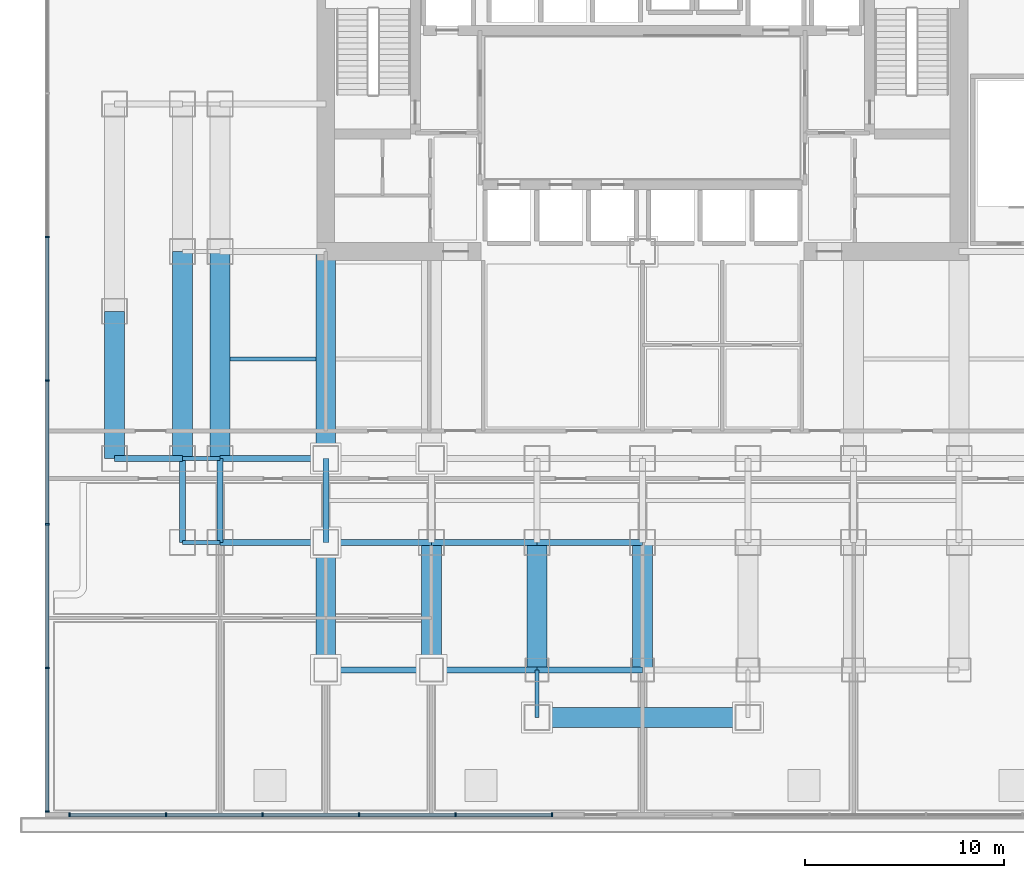
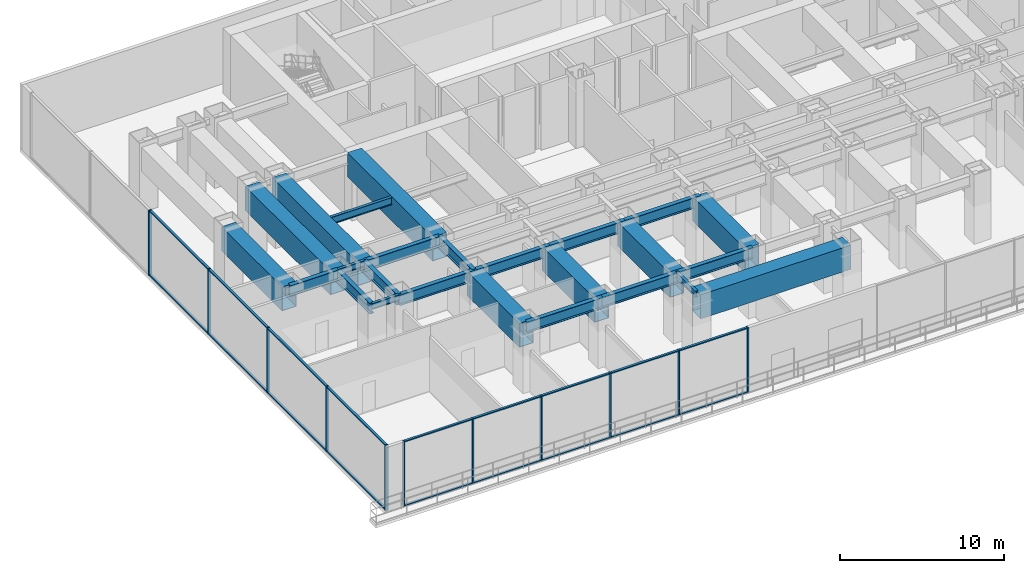
# One storey, part 2 of 12: 29 members, 25 beams, 2 elements without a shape of their own.
"""IFC4 building model written with IfcOpenShell, lengths in metres."""

from ifc_helpers import new_model, si_unit, direction, frame, origin, origin_2d, place, context, subcontext, project, spatial, rectangle, hollow_rectangle, i_section, extrude, source, transform, mapped, material, layer, layer_set, material_profile, profile_set, type_object, element, aggregate, save


model = new_model("IFC4")

# Units and contexts
model_context = context("Model", 3, precision=1e-05, world=origin(), true_north=direction((0.0, 1.0)))
body_context = subcontext(model_context, "Body", "Model", "MODEL_VIEW")
ifc_project = project(units=[si_unit("LENGTHUNIT", "METRE"), si_unit("AREAUNIT", "SQUARE_METRE"), si_unit("VOLUMEUNIT", "CUBIC_METRE"), si_unit("PLANEANGLEUNIT", "RADIAN"), si_unit("MASSUNIT", "GRAM", prefix="KILO")], contexts=[model_context])

# Site, building, storey
site_placement = place(None, origin())
site = spatial("IfcSite", under=ifc_project, at=site_placement, CompositionType="ELEMENT")
building_placement = place(site_placement, origin())
building = spatial("IfcBuilding", under=site, at=building_placement, Name="Qianlan Lanfeng Residences", CompositionType="ELEMENT")
storey_placement = place(building_placement, frame((0.0, 0.0, 19.0)))
storey = spatial("IfcBuildingStorey", under=building, at=storey_placement, Name="L04", CompositionType="ELEMENT", Elevation=19.0)

# Beams
ifc_material_1 = material(Name="Steel SN490B", Category="steel")
ifc_material_profile_1 = material_profile(ifc_material_1, i_section(OverallWidth=0.300048828125, OverallDepth=0.800048828125, WebThickness=0.01611328125, FlangeThickness=0.028076171875, at=origin_2d()), Name="H 800x300x16x28")
ifc_profile_set_1 = profile_set([ifc_material_profile_1], Name="Steel SN490B")
beam_type_1 = type_object("IfcBeamType", Name="G-950", PredefinedType="BEAM", material=ifc_profile_set_1)
beam_1_placement = place(storey_placement, frame((5.300048828125, 10.60009765625, 4.4599609375), z_axis=(1.0, 0.0, 0.0), x_axis=(0.0, 1.0, 0.0)))
element("IfcBeam", 1, at=beam_1_placement, inside=storey, type_object=beam_type_1, Name="Structural beam G-950", PredefinedType="BEAM", context=body_context, shape_type="SweptSolid", body=[
    extrude(i_section(OverallWidth=0.300048828125, OverallDepth=0.800048828125, WebThickness=0.01611328125, FlangeThickness=0.028076171875, at=origin_2d()), origin(), (0.0, 0.0, 1.0), 5.300048828125),
])
beam_2_placement = place(storey_placement, frame((10.60009765625, 10.60009765625, 4.4599609375), z_axis=(1.0, 0.0, 0.0), x_axis=(0.0, 1.0, 0.0)))
element("IfcBeam", 2, at=beam_2_placement, inside=storey, type_object=beam_type_1, Name="Structural beam G-950", PredefinedType="BEAM", context=body_context, shape_type="SweptSolid", body=[
    extrude(i_section(OverallWidth=0.300048828125, OverallDepth=0.800048828125, WebThickness=0.01611328125, FlangeThickness=0.028076171875, at=origin_2d()), origin(), (0.0, 0.0, 1.0), 5.2998046875),
])
for number, where, z_axis, x_axis, name in (
    (3, (15.89990234375, 10.60009765625, 4.4599609375), (1.0, 0.0, 0.0), (0.0, 1.0, 0.0), "Structural beam G-950"),
    (4, (21.199951171875, 10.60009765625, 4.4599609375), (1.0, 0.0, 0.0), (0.0, 1.0, 0.0), "Structural beam G-950"),
):
    element("IfcBeam", number, at=place(storey_placement, frame(where, z_axis=z_axis, x_axis=x_axis)), inside=storey, type_object=beam_type_1, Name=name, PredefinedType="BEAM", context=body_context, shape_type="SweptSolid", body=[
        extrude(i_section(OverallWidth=0.300048828125, OverallDepth=0.800048828125, WebThickness=0.01611328125, FlangeThickness=0.028076171875, at=origin_2d()), origin(), (0.0, 0.0, 1.0), 5.300048828125),
    ])
beam_3_placement = place(storey_placement, frame((0.0, 14.800048828125, 4.4599609375), z_axis=(1.0, 0.0, 0.0), x_axis=(0.0, 1.0, 0.0)))
element("IfcBeam", 5, at=beam_3_placement, inside=storey, type_object=beam_type_1, Name="Structural beam G-950", PredefinedType="BEAM", context=body_context, shape_type="SweptSolid", body=[
    extrude(i_section(OverallWidth=0.300048828125, OverallDepth=0.800048828125, WebThickness=0.01611328125, FlangeThickness=0.028076171875, at=origin_2d()), origin(), (0.0, 0.0, 1.0), 3.39990234375),
])
beam_4_placement = place(storey_placement, frame((5.300048828125, 14.800048828125, 4.4599609375), z_axis=(1.0, 0.0, 0.0), x_axis=(0.0, 1.0, 0.0)))
element("IfcBeam", 6, at=beam_4_placement, inside=storey, type_object=beam_type_1, Name="Structural beam G-950", PredefinedType="BEAM", context=body_context, shape_type="SweptSolid", body=[
    extrude(i_section(OverallWidth=0.300048828125, OverallDepth=0.800048828125, WebThickness=0.01611328125, FlangeThickness=0.028076171875, at=origin_2d()), origin(), (0.0, 0.0, 1.0), 5.300048828125),
])
for number, where, z_axis, x_axis, name in (
    (7, (3.39990234375, 10.60009765625, 4.4599609375), (0.0, 1.0, 0.0), (-1.0, 0.0, 0.0), "Structural beam G-950"),
    (8, (5.300048828125, 10.60009765625, 4.4599609375), (0.0, 1.0, 0.0), (-1.0, 0.0, 0.0), "Structural beam G-950"),
    (9, (10.60009765625, 10.60009765625, 4.4599609375), (0.0, 1.0, 0.0), (-1.0, 0.0, 0.0), "Structural beam G-950"),
):
    element("IfcBeam", number, at=place(storey_placement, frame(where, z_axis=z_axis, x_axis=x_axis)), inside=storey, type_object=beam_type_1, Name=name, PredefinedType="BEAM", context=body_context, shape_type="SweptSolid", body=[
        extrude(i_section(OverallWidth=0.300048828125, OverallDepth=0.800048828125, WebThickness=0.01611328125, FlangeThickness=0.028076171875, at=origin_2d()), origin(), (0.0, 0.0, 1.0), 4.199951171875),
    ])
ifc_material_profile_2 = material_profile(ifc_material_1, i_section(OverallWidth=0.199951171875, OverallDepth=0.449951171875, WebThickness=0.009033203125, FlangeThickness=0.013916015625, at=origin_2d()), Name="H 450x200x9x14")
ifc_profile_set_2 = profile_set([ifc_material_profile_2], Name="Steel SN490B")
beam_type_2 = type_object("IfcBeamType", Name="J-450", PredefinedType="JOIST", material=ifc_profile_set_2)
for number, where, z_axis, x_axis, name in (
    (10, (3.39990234375, 10.60009765625, 4.635009765625), (1.0, 0.0, 0.0), (0.0, 1.0, 0.0), "Structural beam J-450"),
    (11, (3.39990234375, 14.800048828125, 4.635009765625), (1.0, 0.0, 0.0), (0.0, 1.0, 0.0), "Structural beam J-450"),
):
    element("IfcBeam", number, at=place(storey_placement, frame(where, z_axis=z_axis, x_axis=x_axis)), inside=storey, type_object=beam_type_2, Name=name, PredefinedType="JOIST", context=body_context, shape_type="SweptSolid", body=[
        extrude(i_section(OverallWidth=0.199951171875, OverallDepth=0.449951171875, WebThickness=0.009033203125, FlangeThickness=0.013916015625, at=origin_2d()), origin(), (0.0, 0.0, 1.0), 1.900146484375),
    ])
beam_5_placement = place(storey_placement, frame((21.199951171875, 1.800048828125, 4.635009765625), z_axis=(0.0, 1.0, 0.0), x_axis=(-1.0, 0.0, 0.0)))
element("IfcBeam", 12, at=beam_5_placement, inside=storey, type_object=beam_type_2, Name="Structural beam J-450", PredefinedType="JOIST", context=body_context, shape_type="SweptSolid", body=[
    extrude(i_section(OverallWidth=0.199951171875, OverallDepth=0.449951171875, WebThickness=0.009033203125, FlangeThickness=0.013916015625, at=origin_2d()), origin(), (0.0, 0.0, 1.0), 2.39990234375),
])
ifc_material_profile_3 = material_profile(ifc_material_1, i_section(OverallWidth=0.199951171875, OverallDepth=0.550048828125, WebThickness=0.010986328125, FlangeThickness=0.01806640625, at=origin_2d()), Name="H 550x200x11x18")
ifc_profile_set_3 = profile_set([ifc_material_profile_3], Name="Steel SN490B")
beam_type_3 = type_object("IfcBeamType", Name="J-550", PredefinedType="JOIST", material=ifc_profile_set_3)
beam_6_placement = place(storey_placement, frame((5.800048828125, 19.800048828125, 4.5849609375), z_axis=(1.0, 0.0, 0.0), x_axis=(0.0, 1.0, 0.0)))
element("IfcBeam", 13, at=beam_6_placement, inside=storey, type_object=beam_type_3, Name="Structural beam J-550", PredefinedType="JOIST", context=body_context, shape_type="SweptSolid", body=[
    extrude(i_section(OverallWidth=0.199951171875, OverallDepth=0.550048828125, WebThickness=0.010986328125, FlangeThickness=0.01806640625, at=origin_2d()), origin(), (0.0, 0.0, 1.0), 4.300048828125),
])
ifc_material_profile_4 = material_profile(ifc_material_1, i_section(OverallWidth=0.300048828125, OverallDepth=0.800048828125, WebThickness=0.01611328125, FlangeThickness=0.028076171875, at=origin_2d()), Name="H 800x300x16x28")
ifc_profile_set_4 = profile_set([ifc_material_profile_4], Name="Steel SN490B")
beam_type_4 = type_object("IfcBeamType", Name="SG-950", PredefinedType="SPANDREL", material=ifc_profile_set_4)
beam_7_placement = place(storey_placement, frame((10.60009765625, 4.199951171875, 4.4599609375), z_axis=(1.0, 0.0, 0.0), x_axis=(0.0, 1.0, 0.0)))
element("IfcBeam", 14, at=beam_7_placement, inside=storey, type_object=beam_type_4, Name="Structural beam SG-950", PredefinedType="SPANDREL", context=body_context, shape_type="SweptSolid", body=[
    extrude(i_section(OverallWidth=0.300048828125, OverallDepth=0.800048828125, WebThickness=0.01611328125, FlangeThickness=0.028076171875, at=origin_2d()), origin(), (0.0, 0.0, 1.0), 5.2998046875),
])
for number, where, z_axis, x_axis, name in (
    (15, (15.89990234375, 4.199951171875, 4.4599609375), (1.0, 0.0, 0.0), (0.0, 1.0, 0.0), "Structural beam SG-950"),
    (16, (21.199951171875, 4.199951171875, 4.4599609375), (1.0, 0.0, 0.0), (0.0, 1.0, 0.0), "Structural beam SG-950"),
):
    element("IfcBeam", number, at=place(storey_placement, frame(where, z_axis=z_axis, x_axis=x_axis)), inside=storey, type_object=beam_type_4, Name=name, PredefinedType="SPANDREL", context=body_context, shape_type="SweptSolid", body=[
        extrude(i_section(OverallWidth=0.300048828125, OverallDepth=0.800048828125, WebThickness=0.01611328125, FlangeThickness=0.028076171875, at=origin_2d()), origin(), (0.0, 0.0, 1.0), 5.300048828125),
    ])
ifc_material_2 = material(Name="Steel SM570 (420 MPa)", Category="steel")
ifc_material_profile_5 = material_profile(ifc_material_2, hollow_rectangle(XDim=1.0, YDim=1.800048828125, WallThickness=0.0400390625, at=origin_2d()), Name="BOX 1800x1000x40")
ifc_profile_set_5 = profile_set([ifc_material_profile_5], Name="Steel SM570 (420 MPa)")
beam_type_5 = type_object("IfcBeamType", Name="TG-2000", PredefinedType="BEAM", material=ifc_profile_set_5)
beam_8_placement = place(storey_placement, frame((21.199951171875, 1.800048828125, 3.9599609375), z_axis=(1.0, 0.0, 0.0), x_axis=(0.0, 1.0, 0.0)))
element("IfcBeam", 17, at=beam_8_placement, inside=storey, type_object=beam_type_5, Name="Structural beam TG-2000", PredefinedType="BEAM", context=body_context, shape_type="SweptSolid", body=[
    extrude(hollow_rectangle(XDim=1.0, YDim=1.800048828125, WallThickness=0.0400390625, at=origin_2d()), origin(), (0.0, 0.0, 1.0), 10.60009765625),
])
beam_9_placement = place(storey_placement, frame((0.0, 14.800048828125, 3.9599609375), z_axis=(0.0, 1.0, 0.0), x_axis=(-1.0, 0.0, 0.0)))
element("IfcBeam", 18, at=beam_9_placement, inside=storey, type_object=beam_type_5, Name="Structural beam TG-2000", PredefinedType="BEAM", context=body_context, shape_type="SweptSolid", body=[
    extrude(hollow_rectangle(XDim=1.0, YDim=1.800048828125, WallThickness=0.0400390625, at=origin_2d()), origin(), (0.0, 0.0, 1.0), 7.39990234375),
])
for number, where, z_axis, x_axis, name in (
    (19, (3.39990234375, 14.800048828125, 3.9599609375), (0.0, 1.0, 0.0), (-1.0, 0.0, 0.0), "Structural beam TG-2000"),
    (20, (5.300048828125, 14.800048828125, 3.9599609375), (0.0, 1.0, 0.0), (-1.0, 0.0, 0.0), "Structural beam TG-2000"),
):
    element("IfcBeam", number, at=place(storey_placement, frame(where, z_axis=z_axis, x_axis=x_axis)), inside=storey, type_object=beam_type_5, Name=name, PredefinedType="BEAM", context=body_context, shape_type="SweptSolid", body=[
        extrude(hollow_rectangle(XDim=1.0, YDim=1.800048828125, WallThickness=0.0400390625, at=origin_2d()), origin(), (0.0, 0.0, 1.0), 10.39990234375),
    ])
beam_10_placement = place(storey_placement, frame((10.60009765625, 4.199951171875, 3.9599609375), z_axis=(0.0, 1.0, 0.0), x_axis=(-1.0, 0.0, 0.0)))
element("IfcBeam", 21, at=beam_10_placement, inside=storey, type_object=beam_type_5, Name="Structural beam TG-2000", PredefinedType="BEAM", context=body_context, shape_type="SweptSolid", body=[
    extrude(hollow_rectangle(XDim=1.0, YDim=1.800048828125, WallThickness=0.0400390625, at=origin_2d()), origin(), (0.0, 0.0, 1.0), 6.400146484375),
])
beam_11_placement = place(storey_placement, frame((10.60009765625, 14.800048828125, 3.9599609375), z_axis=(0.0, 1.0, 0.0), x_axis=(-1.0, 0.0, 0.0)))
element("IfcBeam", 22, at=beam_11_placement, inside=storey, type_object=beam_type_5, Name="Structural beam TG-2000", PredefinedType="BEAM", context=body_context, shape_type="SweptSolid", body=[
    extrude(hollow_rectangle(XDim=1.0, YDim=1.800048828125, WallThickness=0.0400390625, at=origin_2d()), origin(), (0.0, 0.0, 1.0), 10.39990234375),
])
for number, where, z_axis, x_axis, name in (
    (23, (15.89990234375, 4.199951171875, 3.9599609375), (0.0, 1.0, 0.0), (-1.0, 0.0, 0.0), "Structural beam TG-2000"),
    (24, (21.199951171875, 4.199951171875, 3.9599609375), (0.0, 1.0, 0.0), (-1.0, 0.0, 0.0), "Structural beam TG-2000"),
    (25, (26.5, 4.199951171875, 3.9599609375), (0.0, 1.0, 0.0), (-1.0, 0.0, 0.0), "Structural beam TG-2000"),
):
    element("IfcBeam", number, at=place(storey_placement, frame(where, z_axis=z_axis, x_axis=x_axis)), inside=storey, type_object=beam_type_5, Name=name, PredefinedType="BEAM", context=body_context, shape_type="SweptSolid", body=[
        extrude(hollow_rectangle(XDim=1.0, YDim=1.800048828125, WallThickness=0.0400390625, at=origin_2d()), origin(), (0.0, 0.0, 1.0), 6.400146484375),
    ])

# Curtain wall, members
ifc_material_3 = material(Name="Anodised Bronze Aluminium 6063-T6", Category="aluminium")
ifc_layer = layer(ifc_material_3, 0.219970703125)
ifc_layer_set = layer_set([ifc_layer], Name="Anodised Bronze Aluminium 6063-T6")
curtain_wall_type = type_object("IfcCurtainWallType", Name="CW-01", PredefinedType="NOTDEFINED", material=ifc_layer_set)
curtain_wall_1_placement = place(storey_placement, origin())
curtain_wall_1 = element("IfcCurtainWall", 26, at=curtain_wall_1_placement, inside=storey, type_object=curtain_wall_type, Name="L04 Unitised Curtain Wall CWR-L04-SW (CW-01)", PredefinedType="NOTDEFINED")
ifc_material_profile_6 = material_profile(ifc_material_3, rectangle(XDim=0.080078125, YDim=0.2099609375, at=origin_2d()), Name="ALU MULLION 80x210")
ifc_profile_set_6 = profile_set([ifc_material_profile_6], Name="Anodised Bronze Aluminium 6063-T6")
member_type_1 = type_object("IfcMemberType", Name="CWM-220", PredefinedType="MULLION", material=ifc_profile_set_6)
shared_shape_1 = source(origin(), body_context, "Body", "SweptSolid", [
    extrude(rectangle(XDim=0.080078125, YDim=0.2099609375, at=origin_2d()), origin(), (0.0, 0.0, 1.0), 4.860107421875),
])
member_1_placement = place(storey_placement, frame((-2.260009765625, -3.080078125, 0.0), z_axis=(0.0, 0.0, 1.0), x_axis=(1.0, 0.0, 0.0)))
member_1 = element("IfcMember", 27, at=member_1_placement, type_object=member_type_1, Name="CWR-L04-SW Mullion 1", PredefinedType="MULLION", context=body_context, shape_type="MappedRepresentation", body=[
    mapped(shared_shape_1, transform((0.0, 0.0, 0.0), scale=1.0)),
])
member_2_placement = place(storey_placement, frame((2.583984375, -3.080078125, 0.0), z_axis=(0.0, 0.0, 1.0), x_axis=(1.0, 0.0, 0.0)))
member_2 = element("IfcMember", 28, at=member_2_placement, type_object=member_type_1, Name="CWR-L04-SW Mullion 2", PredefinedType="MULLION", context=body_context, shape_type="MappedRepresentation", body=[
    mapped(shared_shape_1, transform((0.0, 0.0, 0.0), scale=1.0)),
])
member_3_placement = place(storey_placement, frame((7.427978515625, -3.080078125, 0.0), z_axis=(0.0, 0.0, 1.0), x_axis=(1.0, 0.0, 0.0)))
member_3 = element("IfcMember", 29, at=member_3_placement, type_object=member_type_1, Name="CWR-L04-SW Mullion 3", PredefinedType="MULLION", context=body_context, shape_type="MappedRepresentation", body=[
    mapped(shared_shape_1, transform((0.0, 0.0, 0.0), scale=1.0)),
])
member_4_placement = place(storey_placement, frame((12.27197265625, -3.080078125, 0.0), z_axis=(0.0, 0.0, 1.0), x_axis=(1.0, 0.0, 0.0)))
member_4 = element("IfcMember", 30, at=member_4_placement, type_object=member_type_1, Name="CWR-L04-SW Mullion 4", PredefinedType="MULLION", context=body_context, shape_type="MappedRepresentation", body=[
    mapped(shared_shape_1, transform((0.0, 0.0, 0.0), scale=1.0)),
])
member_5_placement = place(storey_placement, frame((17.115966796875, -3.080078125, 0.0), z_axis=(0.0, 0.0, 1.0), x_axis=(1.0, 0.0, 0.0)))
member_5 = element("IfcMember", 31, at=member_5_placement, type_object=member_type_1, Name="CWR-L04-SW Mullion 5", PredefinedType="MULLION", context=body_context, shape_type="MappedRepresentation", body=[
    mapped(shared_shape_1, transform((0.0, 0.0, 0.0), scale=1.0)),
])
member_6_placement = place(storey_placement, frame((21.9599609375, -3.080078125, 0.0), z_axis=(0.0, 0.0, 1.0), x_axis=(1.0, 0.0, 0.0)))
member_6 = element("IfcMember", 32, at=member_6_placement, type_object=member_type_1, Name="CWR-L04-SW Mullion 6", PredefinedType="MULLION", context=body_context, shape_type="MappedRepresentation", body=[
    mapped(shared_shape_1, transform((0.0, 0.0, 0.0), scale=1.0)),
])

curtain_wall_2_placement = place(storey_placement, origin())
curtain_wall_2 = element("IfcCurtainWall", 33, at=curtain_wall_2_placement, inside=storey, type_object=curtain_wall_type, Name="L04 Unitised Curtain Wall CWR-L04-W (CW-01)", PredefinedType="NOTDEFINED")
member_7_placement = place(storey_placement, frame((-3.3798828125, 25.933349609375, 0.0), z_axis=(0.0, 0.0, 1.0), x_axis=(0.0, -1.0, 0.0)))
member_7 = element("IfcMember", 34, at=member_7_placement, type_object=member_type_1, Name="CWR-L04-W Mullion 3", PredefinedType="MULLION", context=body_context, shape_type="MappedRepresentation", body=[
    mapped(shared_shape_1, transform((0.0, 0.0, 0.0), scale=1.0)),
])
member_8_placement = place(storey_placement, frame((-3.3798828125, 18.719970703125, 0.0), z_axis=(0.0, 0.0, 1.0), x_axis=(0.0, -1.0, 0.0)))
member_8 = element("IfcMember", 35, at=member_8_placement, type_object=member_type_1, Name="CWR-L04-W Mullion 4", PredefinedType="MULLION", context=body_context, shape_type="MappedRepresentation", body=[
    mapped(shared_shape_1, transform((0.0, 0.0, 0.0), scale=1.0)),
])
member_9_placement = place(storey_placement, frame((-3.3798828125, 11.506591796875, 0.0), z_axis=(0.0, 0.0, 1.0), x_axis=(0.0, -1.0, 0.0)))
member_9 = element("IfcMember", 36, at=member_9_placement, type_object=member_type_1, Name="CWR-L04-W Mullion 5", PredefinedType="MULLION", context=body_context, shape_type="MappedRepresentation", body=[
    mapped(shared_shape_1, transform((0.0, 0.0, 0.0), scale=1.0)),
])
member_10_placement = place(storey_placement, frame((-3.3798828125, 4.293212890625, 0.0), z_axis=(0.0, 0.0, 1.0), x_axis=(0.0, -1.0, 0.0)))
member_10 = element("IfcMember", 37, at=member_10_placement, type_object=member_type_1, Name="CWR-L04-W Mullion 6", PredefinedType="MULLION", context=body_context, shape_type="MappedRepresentation", body=[
    mapped(shared_shape_1, transform((0.0, 0.0, 0.0), scale=1.0)),
])
member_11_placement = place(storey_placement, frame((-3.3798828125, -2.919921875, 0.0), z_axis=(0.0, 0.0, 1.0), x_axis=(0.0, -1.0, 0.0)))
member_11 = element("IfcMember", 38, at=member_11_placement, type_object=member_type_1, Name="CWR-L04-W Mullion 7", PredefinedType="MULLION", context=body_context, shape_type="MappedRepresentation", body=[
    mapped(shared_shape_1, transform((0.0, 0.0, 0.0), scale=1.0)),
])

# Member
ifc_material_profile_7 = material_profile(ifc_material_3, rectangle(XDim=0.080078125, YDim=0.159912109375, at=origin_2d()), Name="ALU TRANSOM 80x160")
ifc_profile_set_7 = profile_set([ifc_material_profile_7], Name="Anodised Bronze Aluminium 6063-T6")
member_type_2 = type_object("IfcMemberType", Name="CWT-180", PredefinedType="USERDEFINED", material=ifc_profile_set_7)
shared_shape_2 = source(origin(), body_context, "Body", "SweptSolid", [
    extrude(rectangle(XDim=0.080078125, YDim=0.159912109375, at=origin_2d()), origin(), (0.0, 0.0, 1.0), 4.763916015625),
])
member_12_placement = place(storey_placement, frame((-2.219970703125, -3.080078125, 0.0400390625), z_axis=(1.0, 0.0, 0.0), x_axis=(0.0, 0.0, 1.0)))
member_12 = element("IfcMember", 39, at=member_12_placement, type_object=member_type_2, Name="CWR-L04-SW Transom 1-BOT", ObjectType="TRANSOM", PredefinedType="USERDEFINED", context=body_context, shape_type="MappedRepresentation", body=[
    mapped(shared_shape_2, transform((0.0, 0.0, 0.0), scale=1.0)),
])

member_13_placement = place(storey_placement, frame((-2.219970703125, -3.080078125, 4.820068359375), z_axis=(1.0, 0.0, 0.0), x_axis=(0.0, 0.0, 1.0)))
member_13 = element("IfcMember", 40, at=member_13_placement, type_object=member_type_2, Name="CWR-L04-SW Transom 1-TOP", ObjectType="TRANSOM", PredefinedType="USERDEFINED", context=body_context, shape_type="MappedRepresentation", body=[
    mapped(shared_shape_2, transform((0.0, 0.0, 0.0), scale=1.0)),
])

member_14_placement = place(storey_placement, frame((2.6240234375, -3.080078125, 0.0400390625), z_axis=(1.0, 0.0, 0.0), x_axis=(0.0, 0.0, 1.0)))
member_14 = element("IfcMember", 41, at=member_14_placement, type_object=member_type_2, Name="CWR-L04-SW Transom 2-BOT", ObjectType="TRANSOM", PredefinedType="USERDEFINED", context=body_context, shape_type="MappedRepresentation", body=[
    mapped(shared_shape_2, transform((0.0, 0.0, 0.0), scale=1.0)),
])

member_15_placement = place(storey_placement, frame((2.6240234375, -3.080078125, 4.820068359375), z_axis=(1.0, 0.0, 0.0), x_axis=(0.0, 0.0, 1.0)))
member_15 = element("IfcMember", 42, at=member_15_placement, type_object=member_type_2, Name="CWR-L04-SW Transom 2-TOP", ObjectType="TRANSOM", PredefinedType="USERDEFINED", context=body_context, shape_type="MappedRepresentation", body=[
    mapped(shared_shape_2, transform((0.0, 0.0, 0.0), scale=1.0)),
])

member_16_placement = place(storey_placement, frame((7.468017578125, -3.080078125, 0.0400390625), z_axis=(1.0, 0.0, 0.0), x_axis=(0.0, 0.0, 1.0)))
member_16 = element("IfcMember", 43, at=member_16_placement, type_object=member_type_2, Name="CWR-L04-SW Transom 3-BOT", ObjectType="TRANSOM", PredefinedType="USERDEFINED", context=body_context, shape_type="MappedRepresentation", body=[
    mapped(shared_shape_2, transform((0.0, 0.0, 0.0), scale=1.0)),
])

member_17_placement = place(storey_placement, frame((7.468017578125, -3.080078125, 4.820068359375), z_axis=(1.0, 0.0, 0.0), x_axis=(0.0, 0.0, 1.0)))
member_17 = element("IfcMember", 44, at=member_17_placement, type_object=member_type_2, Name="CWR-L04-SW Transom 3-TOP", ObjectType="TRANSOM", PredefinedType="USERDEFINED", context=body_context, shape_type="MappedRepresentation", body=[
    mapped(shared_shape_2, transform((0.0, 0.0, 0.0), scale=1.0)),
])

member_18_placement = place(storey_placement, frame((12.31201171875, -3.080078125, 0.0400390625), z_axis=(1.0, 0.0, 0.0), x_axis=(0.0, 0.0, 1.0)))
member_18 = element("IfcMember", 45, at=member_18_placement, type_object=member_type_2, Name="CWR-L04-SW Transom 4-BOT", ObjectType="TRANSOM", PredefinedType="USERDEFINED", context=body_context, shape_type="MappedRepresentation", body=[
    mapped(shared_shape_2, transform((0.0, 0.0, 0.0), scale=1.0)),
])

member_19_placement = place(storey_placement, frame((12.31201171875, -3.080078125, 4.820068359375), z_axis=(1.0, 0.0, 0.0), x_axis=(0.0, 0.0, 1.0)))
member_19 = element("IfcMember", 46, at=member_19_placement, type_object=member_type_2, Name="CWR-L04-SW Transom 4-TOP", ObjectType="TRANSOM", PredefinedType="USERDEFINED", context=body_context, shape_type="MappedRepresentation", body=[
    mapped(shared_shape_2, transform((0.0, 0.0, 0.0), scale=1.0)),
])

member_20_placement = place(storey_placement, frame((17.156005859375, -3.080078125, 0.0400390625), z_axis=(1.0, 0.0, 0.0), x_axis=(0.0, 0.0, 1.0)))
member_20 = element("IfcMember", 47, at=member_20_placement, type_object=member_type_2, Name="CWR-L04-SW Transom 5-BOT", ObjectType="TRANSOM", PredefinedType="USERDEFINED", context=body_context, shape_type="MappedRepresentation", body=[
    mapped(shared_shape_2, transform((0.0, 0.0, 0.0), scale=1.0)),
])

member_21_placement = place(storey_placement, frame((17.156005859375, -3.080078125, 4.820068359375), z_axis=(1.0, 0.0, 0.0), x_axis=(0.0, 0.0, 1.0)))
member_21 = element("IfcMember", 48, at=member_21_placement, type_object=member_type_2, Name="CWR-L04-SW Transom 5-TOP", ObjectType="TRANSOM", PredefinedType="USERDEFINED", context=body_context, shape_type="MappedRepresentation", body=[
    mapped(shared_shape_2, transform((0.0, 0.0, 0.0), scale=1.0)),
])

aggregate(curtain_wall_1, [member_1, member_2, member_3, member_4, member_5, member_6, member_12, member_13, member_14, member_15, member_16, member_17, member_18, member_19, member_20, member_21])

shared_shape_3 = source(origin(), body_context, "Body", "SweptSolid", [
    extrude(rectangle(XDim=0.080078125, YDim=0.159912109375, at=origin_2d()), origin(), (0.0, 0.0, 1.0), 7.13330078125),
])
member_22_placement = place(storey_placement, frame((-3.3798828125, 25.893310546875, 0.0400390625), z_axis=(0.0, -1.0, 0.0), x_axis=(0.0, 0.0, 1.0)))
member_22 = element("IfcMember", 49, at=member_22_placement, type_object=member_type_2, Name="CWR-L04-W Transom 3-BOT", ObjectType="TRANSOM", PredefinedType="USERDEFINED", context=body_context, shape_type="MappedRepresentation", body=[
    mapped(shared_shape_3, transform((0.0, 0.0, 0.0), scale=1.0)),
])

member_23_placement = place(storey_placement, frame((-3.3798828125, 25.893310546875, 4.820068359375), z_axis=(0.0, -1.0, 0.0), x_axis=(0.0, 0.0, 1.0)))
member_23 = element("IfcMember", 50, at=member_23_placement, type_object=member_type_2, Name="CWR-L04-W Transom 3-TOP", ObjectType="TRANSOM", PredefinedType="USERDEFINED", context=body_context, shape_type="MappedRepresentation", body=[
    mapped(shared_shape_3, transform((0.0, 0.0, 0.0), scale=1.0)),
])

member_24_placement = place(storey_placement, frame((-3.3798828125, 18.679931640625, 0.0400390625), z_axis=(0.0, -1.0, 0.0), x_axis=(0.0, 0.0, 1.0)))
member_24 = element("IfcMember", 51, at=member_24_placement, type_object=member_type_2, Name="CWR-L04-W Transom 4-BOT", ObjectType="TRANSOM", PredefinedType="USERDEFINED", context=body_context, shape_type="MappedRepresentation", body=[
    mapped(shared_shape_3, transform((0.0, 0.0, 0.0), scale=1.0)),
])

member_25_placement = place(storey_placement, frame((-3.3798828125, 18.679931640625, 4.820068359375), z_axis=(0.0, -1.0, 0.0), x_axis=(0.0, 0.0, 1.0)))
member_25 = element("IfcMember", 52, at=member_25_placement, type_object=member_type_2, Name="CWR-L04-W Transom 4-TOP", ObjectType="TRANSOM", PredefinedType="USERDEFINED", context=body_context, shape_type="MappedRepresentation", body=[
    mapped(shared_shape_3, transform((0.0, 0.0, 0.0), scale=1.0)),
])

member_26_placement = place(storey_placement, frame((-3.3798828125, 4.25341796875, 0.0400390625), z_axis=(0.0, -1.0, 0.0), x_axis=(0.0, 0.0, 1.0)))
member_26 = element("IfcMember", 53, at=member_26_placement, type_object=member_type_2, Name="CWR-L04-W Transom 6-BOT", ObjectType="TRANSOM", PredefinedType="USERDEFINED", context=body_context, shape_type="MappedRepresentation", body=[
    mapped(shared_shape_3, transform((0.0, 0.0, 0.0), scale=1.0)),
])

member_27_placement = place(storey_placement, frame((-3.3798828125, 4.25341796875, 4.820068359375), z_axis=(0.0, -1.0, 0.0), x_axis=(0.0, 0.0, 1.0)))
member_27 = element("IfcMember", 54, at=member_27_placement, type_object=member_type_2, Name="CWR-L04-W Transom 6-TOP", ObjectType="TRANSOM", PredefinedType="USERDEFINED", context=body_context, shape_type="MappedRepresentation", body=[
    mapped(shared_shape_3, transform((0.0, 0.0, 0.0), scale=1.0)),
])

shared_shape_4 = source(origin(), body_context, "Body", "SweptSolid", [
    extrude(rectangle(XDim=0.080078125, YDim=0.159912109375, at=origin_2d()), origin(), (0.0, 0.0, 1.0), 7.133544921875),
])
member_28_placement = place(storey_placement, frame((-3.3798828125, 11.466796875, 0.0400390625), z_axis=(0.0, -1.0, 0.0), x_axis=(0.0, 0.0, 1.0)))
member_28 = element("IfcMember", 55, at=member_28_placement, type_object=member_type_2, Name="CWR-L04-W Transom 5-BOT", ObjectType="TRANSOM", PredefinedType="USERDEFINED", context=body_context, shape_type="MappedRepresentation", body=[
    mapped(shared_shape_4, transform((0.0, 0.0, 0.0), scale=1.0)),
])

member_29_placement = place(storey_placement, frame((-3.3798828125, 11.466796875, 4.820068359375), z_axis=(0.0, -1.0, 0.0), x_axis=(0.0, 0.0, 1.0)))
member_29 = element("IfcMember", 56, at=member_29_placement, type_object=member_type_2, Name="CWR-L04-W Transom 5-TOP", ObjectType="TRANSOM", PredefinedType="USERDEFINED", context=body_context, shape_type="MappedRepresentation", body=[
    mapped(shared_shape_4, transform((0.0, 0.0, 0.0), scale=1.0)),
])

aggregate(curtain_wall_2, [member_7, member_8, member_9, member_10, member_11, member_22, member_23, member_24, member_25, member_28, member_29, member_26, member_27])

save(model, "model.ifc")
